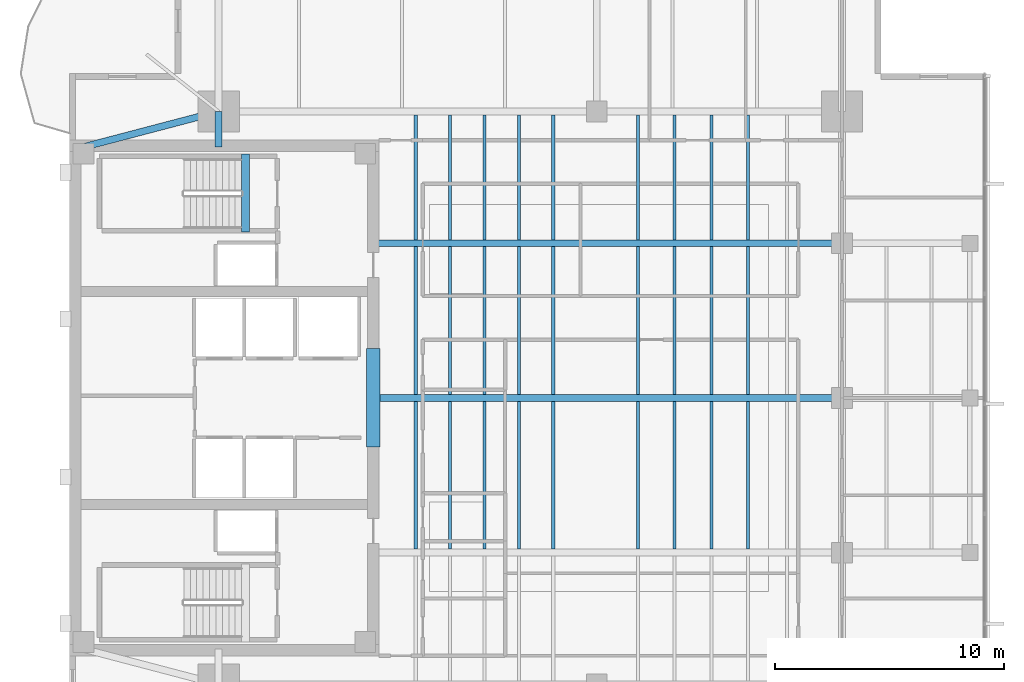
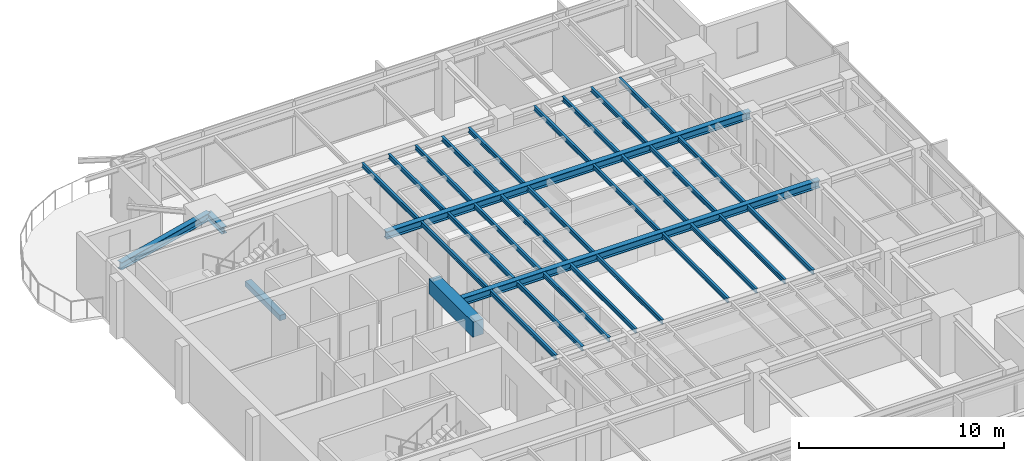
# One storey, part 3 of 14: 33 beams.
"""IFC4 building model written with IfcOpenShell, lengths in metres."""

from ifc_helpers import new_model, si_unit, direction, frame, origin, origin_2d, place, context, subcontext, project, spatial, rectangle, i_section, extrude, material, material_profile, profile_set, type_object, element, save


model = new_model("IFC4")

# Units and contexts
model_context = context("Model", 3, precision=1e-05, world=origin(), true_north=direction((0.0, 1.0)))
body_context = subcontext(model_context, "Body", "Model", "MODEL_VIEW")
ifc_project = project(units=[si_unit("LENGTHUNIT", "METRE"), si_unit("AREAUNIT", "SQUARE_METRE"), si_unit("VOLUMEUNIT", "CUBIC_METRE"), si_unit("PLANEANGLEUNIT", "RADIAN"), si_unit("MASSUNIT", "GRAM", prefix="KILO")], contexts=[model_context])

# Site, building, storey
site_placement = place(None, origin())
site = spatial("IfcSite", under=ifc_project, at=site_placement, CompositionType="ELEMENT")
building_placement = place(site_placement, origin())
building = spatial("IfcBuilding", under=site, at=building_placement, Name="Kinhvarn Gate Tower", CompositionType="ELEMENT")
storey_placement = place(building_placement, frame((0.0, 0.0, 284.75)))
storey = spatial("IfcBuildingStorey", under=building, at=storey_placement, Name="L76", CompositionType="ELEMENT", Elevation=284.75)

# Beams
ifc_material_1 = material(Name="Concrete C60/75", Category="concrete")
ifc_material_profile_1 = material_profile(ifc_material_1, rectangle(XDim=0.60009765625, YDim=0.89990234375, at=origin_2d()), Name="RC 600x900")
ifc_profile_set_1 = profile_set([ifc_material_profile_1], Name="Concrete C60/75")
beam_type_1 = type_object("IfcBeamType", Name="BM-CB-900", PredefinedType="LINTEL", material=ifc_profile_set_1)
beam_1_placement = place(storey_placement, frame((17.75, 23.10009765625, 2.93994140625), z_axis=(0.0, 1.0, 0.0), x_axis=(-1.0, 0.0, 0.0)))
element("IfcBeam", 1, at=beam_1_placement, inside=storey, type_object=beam_type_1, Name="Core East Portal Coupling Beam L76", PredefinedType="LINTEL", context=body_context, shape_type="SweptSolid", body=[
    extrude(rectangle(XDim=0.60009765625, YDim=0.89990234375, at=origin_2d()), origin(), (0.0, 0.0, 1.0), 4.2998046875),
])
ifc_material_2 = material(Name="Concrete C50/60", Category="concrete")
ifc_material_profile_2 = material_profile(ifc_material_2, rectangle(XDim=0.340087890625, YDim=0.320068359375, at=origin_2d()), Name="RC 340x320")
ifc_profile_set_2 = profile_set([ifc_material_profile_2], Name="Concrete C50/60")
beam_type_2 = type_object("IfcBeamType", Name="BM-LND-500", PredefinedType="BEAM", material=ifc_profile_set_2)
beam_2_placement = place(storey_placement, frame((12.1650390625, 32.5, -0.159912109375), z_axis=(0.0, 1.0, 0.0), x_axis=(-1.0, 0.0, 0.0)))
element("IfcBeam", 2, at=beam_2_placement, inside=storey, type_object=beam_type_2, Name="Stair ST2 Landing Nosing Beam (L76)", PredefinedType="BEAM", context=body_context, shape_type="SweptSolid", body=[
    extrude(rectangle(XDim=0.340087890625, YDim=0.320068359375, at=origin_2d()), origin(), (0.0, 0.0, 1.0), 3.39990234375),
])
ifc_material_3 = material(Name="Steel S355", Category="steel")
ifc_material_profile_3 = material_profile(ifc_material_3, i_section(OverallWidth=0.300048828125, OverallDepth=0.39990234375, WebThickness=0.013427734375, FlangeThickness=0.02392578125, at=origin_2d()), Name="HEB 400")
ifc_profile_set_3 = profile_set([ifc_material_profile_3], Name="Steel S355")
beam_type_3 = type_object("IfcBeamType", Name="STL-HEB400", PredefinedType="BEAM", material=ifc_profile_set_3)
beam_3_placement = place(storey_placement, frame((11.0, 36.199951171875, 3.18994140625), z_axis=(0.0, 1.0, 0.0), x_axis=(-1.0, 0.0, 0.0)))
element("IfcBeam", 3, at=beam_3_placement, inside=storey, type_object=beam_type_3, Name="Floor Beam PG-12 (L76 MCW-CN)", PredefinedType="BEAM", context=body_context, shape_type="SweptSolid", body=[
    extrude(i_section(OverallWidth=0.300048828125, OverallDepth=0.39990234375, WebThickness=0.013427734375, FlangeThickness=0.02392578125, at=origin_2d()), origin(), (0.0, 0.0, 1.0), 1.550048828125),
])
ifc_material_profile_4 = material_profile(ifc_material_3, i_section(OverallWidth=0.300048828125, OverallDepth=0.449951171875, WebThickness=0.013916015625, FlangeThickness=0.02587890625, at=origin_2d()), Name="HEB 450")
ifc_profile_set_4 = profile_set([ifc_material_profile_4], Name="Steel S355")
beam_type_4 = type_object("IfcBeamType", Name="STL-HEB450", PredefinedType="BEAM", material=ifc_profile_set_4)
beam_4_placement = place(storey_placement, frame((5.10009765625, 36.199951171875, 3.1650390625), z_axis=(0.967177623957, 0.254101246979, 0.0), x_axis=(-0.254101246979, 0.967177623957, 0.0)))
element("IfcBeam", 4, at=beam_4_placement, inside=storey, type_object=beam_type_4, Name="Floor Beam PG-13 (L76 MG-NW-DIAG)", PredefinedType="BEAM", context=body_context, shape_type="SweptSolid", body=[
    extrude(i_section(OverallWidth=0.300048828125, OverallDepth=0.449951171875, WebThickness=0.013916015625, FlangeThickness=0.02587890625, at=origin_2d()), origin(), (0.0, 0.0, 1.0), 6.10009765625),
])
beam_5_placement = place(storey_placement, frame((18.050048828125, 25.25, 3.1650390625), z_axis=(1.0, 0.0, 0.0), x_axis=(0.0, 1.0, 0.0)))
element("IfcBeam", 5, at=beam_5_placement, inside=storey, type_object=beam_type_4, Name="Floor Beam PG-13 (L76 EW1-Y25)", PredefinedType="BEAM", context=body_context, shape_type="SweptSolid", body=[
    extrude(i_section(OverallWidth=0.300048828125, OverallDepth=0.449951171875, WebThickness=0.013916015625, FlangeThickness=0.02587890625, at=origin_2d()), origin(), (0.0, 0.0, 1.0), 20.14990234375),
])
beam_6_placement = place(storey_placement, frame((17.64990234375, 32.0, 3.1650390625), z_axis=(1.0, 0.0, 0.0), x_axis=(0.0, 1.0, 0.0)))
element("IfcBeam", 6, at=beam_6_placement, inside=storey, type_object=beam_type_4, Name="Floor Beam PG-13 (L76 EW1-Y32)", PredefinedType="BEAM", context=body_context, shape_type="SweptSolid", body=[
    extrude(i_section(OverallWidth=0.300048828125, OverallDepth=0.449951171875, WebThickness=0.013916015625, FlangeThickness=0.02587890625, at=origin_2d()), origin(), (0.0, 0.0, 1.0), 20.550048828125),
])
ifc_material_profile_5 = material_profile(ifc_material_3, i_section(OverallWidth=0.135009765625, OverallDepth=0.27001953125, WebThickness=0.006591796875, FlangeThickness=0.01025390625, at=origin_2d()), Name="IPE 270")
ifc_profile_set_5 = profile_set([ifc_material_profile_5], Name="Steel S355")
beam_type_5 = type_object("IfcBeamType", Name="STL-IPE270", PredefinedType="JOIST", material=ifc_profile_set_5)
for number, where, z_axis, x_axis, name in (
    (7, (19.60009765625, 18.64990234375, 3.2548828125), (0.0, 1.0, 0.0), (-1.0, 0.0, 0.0), "Floor Joist SB-01 (L76 JC-X196-1)"),
    (8, (19.60009765625, 25.39990234375, 3.2548828125), (0.0, 1.0, 0.0), (-1.0, 0.0, 0.0), "Floor Joist SB-01 (L76 JC-X196-2)"),
):
    element("IfcBeam", number, at=place(storey_placement, frame(where, z_axis=z_axis, x_axis=x_axis)), inside=storey, type_object=beam_type_5, Name=name, PredefinedType="JOIST", context=body_context, shape_type="SweptSolid", body=[
        extrude(i_section(OverallWidth=0.135009765625, OverallDepth=0.27001953125, WebThickness=0.006591796875, FlangeThickness=0.01025390625, at=origin_2d()), origin(), (0.0, 0.0, 1.0), 6.4501953125),
    ])
beam_7_placement = place(storey_placement, frame((19.60009765625, 32.14990234375, 3.2548828125), z_axis=(0.0, 1.0, 0.0), x_axis=(-1.0, 0.0, 0.0)))
element("IfcBeam", 9, at=beam_7_placement, inside=storey, type_object=beam_type_5, Name="Floor Joist SB-01 (L76 JC-X196-3)", PredefinedType="JOIST", context=body_context, shape_type="SweptSolid", body=[
    extrude(i_section(OverallWidth=0.135009765625, OverallDepth=0.27001953125, WebThickness=0.006591796875, FlangeThickness=0.01025390625, at=origin_2d()), origin(), (0.0, 0.0, 1.0), 5.4501953125),
])
for number, where, z_axis, x_axis, name in (
    (10, (21.10009765625, 18.64990234375, 3.2548828125), (0.0, 1.0, 0.0), (-1.0, 0.0, 0.0), "Floor Joist SB-01 (L76 JC-X211-1)"),
    (11, (21.10009765625, 25.39990234375, 3.2548828125), (0.0, 1.0, 0.0), (-1.0, 0.0, 0.0), "Floor Joist SB-01 (L76 JC-X211-2)"),
):
    element("IfcBeam", number, at=place(storey_placement, frame(where, z_axis=z_axis, x_axis=x_axis)), inside=storey, type_object=beam_type_5, Name=name, PredefinedType="JOIST", context=body_context, shape_type="SweptSolid", body=[
        extrude(i_section(OverallWidth=0.135009765625, OverallDepth=0.27001953125, WebThickness=0.006591796875, FlangeThickness=0.01025390625, at=origin_2d()), origin(), (0.0, 0.0, 1.0), 6.4501953125),
    ])
beam_8_placement = place(storey_placement, frame((21.10009765625, 32.14990234375, 3.2548828125), z_axis=(0.0, 1.0, 0.0), x_axis=(-1.0, 0.0, 0.0)))
element("IfcBeam", 12, at=beam_8_placement, inside=storey, type_object=beam_type_5, Name="Floor Joist SB-01 (L76 JC-X211-3)", PredefinedType="JOIST", context=body_context, shape_type="SweptSolid", body=[
    extrude(i_section(OverallWidth=0.135009765625, OverallDepth=0.27001953125, WebThickness=0.006591796875, FlangeThickness=0.01025390625, at=origin_2d()), origin(), (0.0, 0.0, 1.0), 5.4501953125),
])
for number, where, z_axis, x_axis, name in (
    (13, (22.60009765625, 18.64990234375, 3.2548828125), (0.0, 1.0, 0.0), (-1.0, 0.0, 0.0), "Floor Joist SB-01 (L76 JC-X226-1)"),
    (14, (22.60009765625, 25.39990234375, 3.2548828125), (0.0, 1.0, 0.0), (-1.0, 0.0, 0.0), "Floor Joist SB-01 (L76 JC-X226-2)"),
):
    element("IfcBeam", number, at=place(storey_placement, frame(where, z_axis=z_axis, x_axis=x_axis)), inside=storey, type_object=beam_type_5, Name=name, PredefinedType="JOIST", context=body_context, shape_type="SweptSolid", body=[
        extrude(i_section(OverallWidth=0.135009765625, OverallDepth=0.27001953125, WebThickness=0.006591796875, FlangeThickness=0.01025390625, at=origin_2d()), origin(), (0.0, 0.0, 1.0), 6.4501953125),
    ])
beam_9_placement = place(storey_placement, frame((22.60009765625, 32.14990234375, 3.2548828125), z_axis=(0.0, 1.0, 0.0), x_axis=(-1.0, 0.0, 0.0)))
element("IfcBeam", 15, at=beam_9_placement, inside=storey, type_object=beam_type_5, Name="Floor Joist SB-01 (L76 JC-X226-3)", PredefinedType="JOIST", context=body_context, shape_type="SweptSolid", body=[
    extrude(i_section(OverallWidth=0.135009765625, OverallDepth=0.27001953125, WebThickness=0.006591796875, FlangeThickness=0.01025390625, at=origin_2d()), origin(), (0.0, 0.0, 1.0), 5.4501953125),
])
for number, where, z_axis, x_axis, name in (
    (16, (24.10009765625, 18.64990234375, 3.2548828125), (0.0, 1.0, 0.0), (-1.0, 0.0, 0.0), "Floor Joist SB-01 (L76 JC-X241-1)"),
    (17, (24.10009765625, 25.39990234375, 3.2548828125), (0.0, 1.0, 0.0), (-1.0, 0.0, 0.0), "Floor Joist SB-01 (L76 JC-X241-2)"),
):
    element("IfcBeam", number, at=place(storey_placement, frame(where, z_axis=z_axis, x_axis=x_axis)), inside=storey, type_object=beam_type_5, Name=name, PredefinedType="JOIST", context=body_context, shape_type="SweptSolid", body=[
        extrude(i_section(OverallWidth=0.135009765625, OverallDepth=0.27001953125, WebThickness=0.006591796875, FlangeThickness=0.01025390625, at=origin_2d()), origin(), (0.0, 0.0, 1.0), 6.4501953125),
    ])
beam_10_placement = place(storey_placement, frame((24.10009765625, 32.14990234375, 3.2548828125), z_axis=(0.0, 1.0, 0.0), x_axis=(-1.0, 0.0, 0.0)))
element("IfcBeam", 18, at=beam_10_placement, inside=storey, type_object=beam_type_5, Name="Floor Joist SB-01 (L76 JC-X241-3)", PredefinedType="JOIST", context=body_context, shape_type="SweptSolid", body=[
    extrude(i_section(OverallWidth=0.135009765625, OverallDepth=0.27001953125, WebThickness=0.006591796875, FlangeThickness=0.01025390625, at=origin_2d()), origin(), (0.0, 0.0, 1.0), 5.4501953125),
])
for number, where, z_axis, x_axis, name in (
    (19, (25.60009765625, 18.64990234375, 3.2548828125), (0.0, 1.0, 0.0), (-1.0, 0.0, 0.0), "Floor Joist SB-01 (L76 JC-X256-1)"),
    (20, (25.60009765625, 25.39990234375, 3.2548828125), (0.0, 1.0, 0.0), (-1.0, 0.0, 0.0), "Floor Joist SB-01 (L76 JC-X256-2)"),
):
    element("IfcBeam", number, at=place(storey_placement, frame(where, z_axis=z_axis, x_axis=x_axis)), inside=storey, type_object=beam_type_5, Name=name, PredefinedType="JOIST", context=body_context, shape_type="SweptSolid", body=[
        extrude(i_section(OverallWidth=0.135009765625, OverallDepth=0.27001953125, WebThickness=0.006591796875, FlangeThickness=0.01025390625, at=origin_2d()), origin(), (0.0, 0.0, 1.0), 6.4501953125),
    ])
beam_11_placement = place(storey_placement, frame((25.60009765625, 32.14990234375, 3.2548828125), z_axis=(0.0, 1.0, 0.0), x_axis=(-1.0, 0.0, 0.0)))
element("IfcBeam", 21, at=beam_11_placement, inside=storey, type_object=beam_type_5, Name="Floor Joist SB-01 (L76 JC-X256-3)", PredefinedType="JOIST", context=body_context, shape_type="SweptSolid", body=[
    extrude(i_section(OverallWidth=0.135009765625, OverallDepth=0.27001953125, WebThickness=0.006591796875, FlangeThickness=0.01025390625, at=origin_2d()), origin(), (0.0, 0.0, 1.0), 5.4501953125),
])
for number, where, z_axis, x_axis, name in (
    (22, (29.300048828125, 18.64990234375, 3.2548828125), (0.0, 1.0, 0.0), (-1.0, 0.0, 0.0), "Floor Joist SB-01 (L76 JC-X293-1)"),
    (23, (29.300048828125, 25.39990234375, 3.2548828125), (0.0, 1.0, 0.0), (-1.0, 0.0, 0.0), "Floor Joist SB-01 (L76 JC-X293-2)"),
):
    element("IfcBeam", number, at=place(storey_placement, frame(where, z_axis=z_axis, x_axis=x_axis)), inside=storey, type_object=beam_type_5, Name=name, PredefinedType="JOIST", context=body_context, shape_type="SweptSolid", body=[
        extrude(i_section(OverallWidth=0.135009765625, OverallDepth=0.27001953125, WebThickness=0.006591796875, FlangeThickness=0.01025390625, at=origin_2d()), origin(), (0.0, 0.0, 1.0), 6.4501953125),
    ])
beam_12_placement = place(storey_placement, frame((29.300048828125, 32.14990234375, 3.2548828125), z_axis=(0.0, 1.0, 0.0), x_axis=(-1.0, 0.0, 0.0)))
element("IfcBeam", 24, at=beam_12_placement, inside=storey, type_object=beam_type_5, Name="Floor Joist SB-01 (L76 JC-X293-3)", PredefinedType="JOIST", context=body_context, shape_type="SweptSolid", body=[
    extrude(i_section(OverallWidth=0.135009765625, OverallDepth=0.27001953125, WebThickness=0.006591796875, FlangeThickness=0.01025390625, at=origin_2d()), origin(), (0.0, 0.0, 1.0), 5.4501953125),
])
for number, where, z_axis, x_axis, name in (
    (25, (30.89990234375, 18.64990234375, 3.2548828125), (0.0, 1.0, 0.0), (-1.0, 0.0, 0.0), "Floor Joist SB-01 (L76 JC-X309-1)"),
    (26, (30.89990234375, 25.39990234375, 3.2548828125), (0.0, 1.0, 0.0), (-1.0, 0.0, 0.0), "Floor Joist SB-01 (L76 JC-X309-2)"),
):
    element("IfcBeam", number, at=place(storey_placement, frame(where, z_axis=z_axis, x_axis=x_axis)), inside=storey, type_object=beam_type_5, Name=name, PredefinedType="JOIST", context=body_context, shape_type="SweptSolid", body=[
        extrude(i_section(OverallWidth=0.135009765625, OverallDepth=0.27001953125, WebThickness=0.006591796875, FlangeThickness=0.01025390625, at=origin_2d()), origin(), (0.0, 0.0, 1.0), 6.4501953125),
    ])
beam_13_placement = place(storey_placement, frame((30.89990234375, 32.14990234375, 3.2548828125), z_axis=(0.0, 1.0, 0.0), x_axis=(-1.0, 0.0, 0.0)))
element("IfcBeam", 27, at=beam_13_placement, inside=storey, type_object=beam_type_5, Name="Floor Joist SB-01 (L76 JC-X309-3)", PredefinedType="JOIST", context=body_context, shape_type="SweptSolid", body=[
    extrude(i_section(OverallWidth=0.135009765625, OverallDepth=0.27001953125, WebThickness=0.006591796875, FlangeThickness=0.01025390625, at=origin_2d()), origin(), (0.0, 0.0, 1.0), 5.4501953125),
])
for number, where, z_axis, x_axis, name in (
    (28, (32.5, 18.64990234375, 3.2548828125), (0.0, 1.0, 0.0), (-1.0, 0.0, 0.0), "Floor Joist SB-01 (L76 JC-X325-1)"),
    (29, (32.5, 25.39990234375, 3.2548828125), (0.0, 1.0, 0.0), (-1.0, 0.0, 0.0), "Floor Joist SB-01 (L76 JC-X325-2)"),
):
    element("IfcBeam", number, at=place(storey_placement, frame(where, z_axis=z_axis, x_axis=x_axis)), inside=storey, type_object=beam_type_5, Name=name, PredefinedType="JOIST", context=body_context, shape_type="SweptSolid", body=[
        extrude(i_section(OverallWidth=0.135009765625, OverallDepth=0.27001953125, WebThickness=0.006591796875, FlangeThickness=0.01025390625, at=origin_2d()), origin(), (0.0, 0.0, 1.0), 6.4501953125),
    ])
beam_14_placement = place(storey_placement, frame((32.5, 32.14990234375, 3.2548828125), z_axis=(0.0, 1.0, 0.0), x_axis=(-1.0, 0.0, 0.0)))
element("IfcBeam", 30, at=beam_14_placement, inside=storey, type_object=beam_type_5, Name="Floor Joist SB-01 (L76 JC-X325-3)", PredefinedType="JOIST", context=body_context, shape_type="SweptSolid", body=[
    extrude(i_section(OverallWidth=0.135009765625, OverallDepth=0.27001953125, WebThickness=0.006591796875, FlangeThickness=0.01025390625, at=origin_2d()), origin(), (0.0, 0.0, 1.0), 5.4501953125),
])
for number, where, z_axis, x_axis, name in (
    (31, (34.10009765625, 18.64990234375, 3.2548828125), (0.0, 1.0, 0.0), (-1.0, 0.0, 0.0), "Floor Joist SB-01 (L76 JC-X341-1)"),
    (32, (34.10009765625, 25.39990234375, 3.2548828125), (0.0, 1.0, 0.0), (-1.0, 0.0, 0.0), "Floor Joist SB-01 (L76 JC-X341-2)"),
):
    element("IfcBeam", number, at=place(storey_placement, frame(where, z_axis=z_axis, x_axis=x_axis)), inside=storey, type_object=beam_type_5, Name=name, PredefinedType="JOIST", context=body_context, shape_type="SweptSolid", body=[
        extrude(i_section(OverallWidth=0.135009765625, OverallDepth=0.27001953125, WebThickness=0.006591796875, FlangeThickness=0.01025390625, at=origin_2d()), origin(), (0.0, 0.0, 1.0), 6.4501953125),
    ])
beam_15_placement = place(storey_placement, frame((34.10009765625, 32.14990234375, 3.2548828125), z_axis=(0.0, 1.0, 0.0), x_axis=(-1.0, 0.0, 0.0)))
element("IfcBeam", 33, at=beam_15_placement, inside=storey, type_object=beam_type_5, Name="Floor Joist SB-01 (L76 JC-X341-3)", PredefinedType="JOIST", context=body_context, shape_type="SweptSolid", body=[
    extrude(i_section(OverallWidth=0.135009765625, OverallDepth=0.27001953125, WebThickness=0.006591796875, FlangeThickness=0.01025390625, at=origin_2d()), origin(), (0.0, 0.0, 1.0), 5.4501953125),
])

save(model, "model.ifc")
